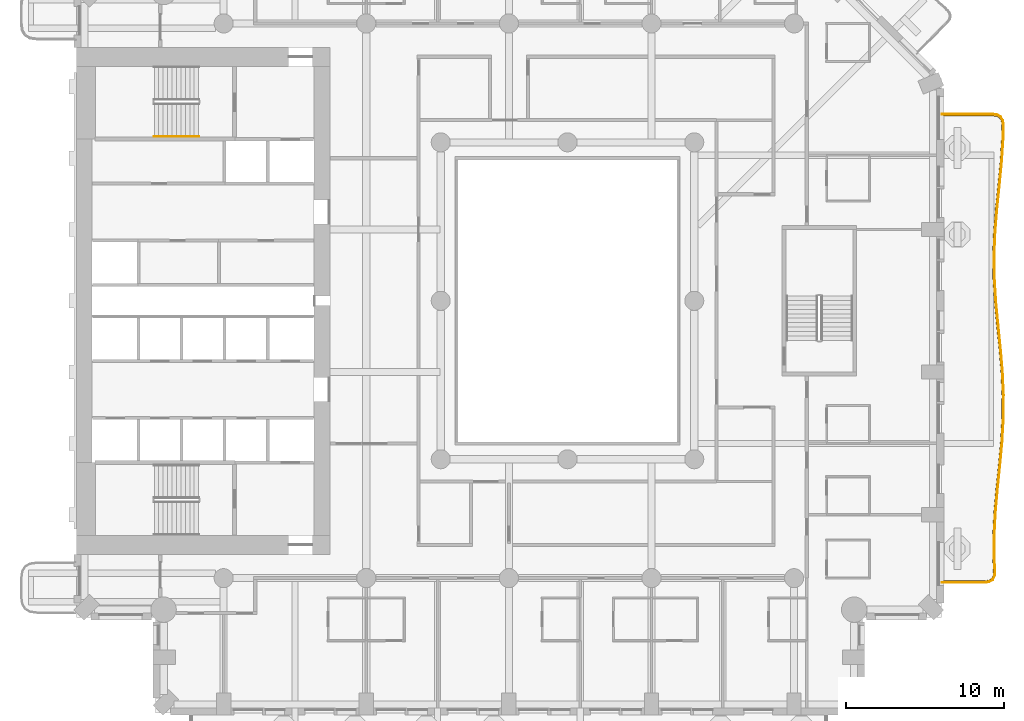
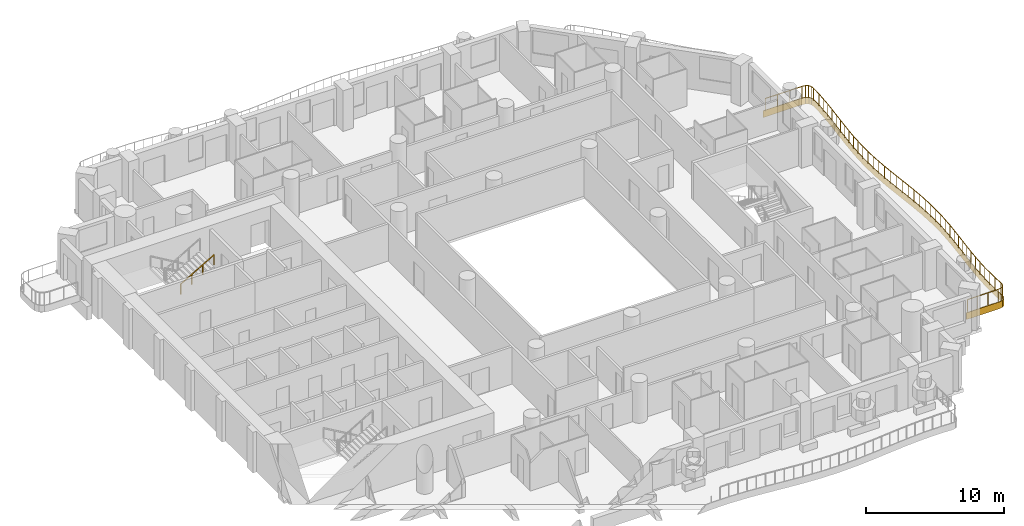
# One storey, part 16 of 20: 2 railings, 1 covering.
"""IFC4 building model written with IfcOpenShell, lengths in metres."""

import ifcopenshell
import ifcopenshell.guid

model = None  # the IFC model being written
_history = None  # IfcOwnerHistory: only IFC2X3 demands one
_inside = {}  # id of a spatial element -> (the spatial element, [elements in it])
_under = {}  # id of a project, library or spatial element -> (it, [spatial elements below it])
_declared = {}  # id of a project -> (the project, [libraries it declares])
_typed = {}  # id of a type object -> (the type object, [elements of that type])
_made_of = {}  # id of a material, layer set ... -> (it, [elements and type objects made of it])


def new_model(schema):
    """Start an empty IFC model of exactly this schema.

    Asked for "IFC4X3", IfcOpenShell would pick the latest addendum, in which some entities
    have other attributes; the version numbers below select the first issue.
    IFC2X3 requires an IfcOwnerHistory on every rooted entity: one is made here for all.
    """
    global model, _history
    if schema == "IFC4X3":
        model = ifcopenshell.file(schema_version=(4, 3, 0, 0))
    else:
        model = ifcopenshell.file(schema=schema)
    _inside.clear()
    _under.clear()
    _declared.clear()
    _typed.clear()
    _made_of.clear()
    _history = None
    if model.schema == "IFC2X3":
        org = make("IfcOrganization", Name="unknown")
        user = make(
            "IfcPersonAndOrganization",
            ThePerson=make("IfcPerson", FamilyName="unknown"),
            TheOrganization=org,
        )
        app = make(
            "IfcApplication",
            ApplicationDeveloper=org,
            Version="unknown",
            ApplicationFullName="unknown",
            ApplicationIdentifier="unknown",
        )
        _history = make(
            "IfcOwnerHistory",
            OwningUser=user,
            OwningApplication=app,
            ChangeAction="ADDED",
            CreationDate=0,
        )
    return model


def make(cls, **values):
    """One entity of the class cls with the attributes given. An attribute that is None is left unset."""
    return model.create_entity(
        cls, **{name: value for name, value in values.items() if value is not None}
    )


def rooted(cls, **values):
    """An entity with a GlobalId (a new one), such as an element, a storey or a relation."""
    return make(cls, GlobalId=ifcopenshell.guid.new(), OwnerHistory=_history, **values)


def si_unit(unit_type, name, prefix=None):
    """IfcSIUnit, for example si_unit("LENGTHUNIT", "METRE", prefix="MILLI")."""
    return make("IfcSIUnit", UnitType=unit_type, Prefix=prefix, Name=name)


def assignment(units):
    """IfcUnitAssignment: the units of a project."""
    return None if units is None else make("IfcUnitAssignment", Units=units)


def point(xyz):
    """IfcCartesianPoint."""
    return None if xyz is None else make("IfcCartesianPoint", Coordinates=xyz)


def direction(xyz):
    """IfcDirection."""
    return None if xyz is None else make("IfcDirection", DirectionRatios=xyz)


def frame(location, z_axis=None, x_axis=None):
    """IfcAxis2Placement3D, a coordinate frame: its origin and axes. An axis left out is left unset."""
    return make(
        "IfcAxis2Placement3D",
        Location=point(location),
        Axis=direction(z_axis),
        RefDirection=direction(x_axis),
    )


def frame_2d(location, x_axis=None):
    """IfcAxis2Placement2D, a coordinate frame in the plane: its origin and x axis."""
    return make(
        "IfcAxis2Placement2D", Location=point(location), RefDirection=direction(x_axis)
    )


def origin():
    """The frame at (0, 0, 0) with its axes left unset."""
    return frame((0.0, 0.0, 0.0))


def origin_2d():
    """The frame at (0, 0) in the plane with its x axis left unset."""
    return frame_2d((0.0, 0.0))


def place(relative_to, where):
    """IfcLocalPlacement: puts the frame where relative to a parent placement (None: the world)."""
    return make(
        "IfcLocalPlacement", PlacementRelTo=relative_to, RelativePlacement=where
    )


def context(
    kind, dimensions, precision=None, world=None, true_north=None, identifier=None
):
    """IfcGeometricRepresentationContext, for example the 3D "Model" context."""
    return make(
        "IfcGeometricRepresentationContext",
        ContextIdentifier=identifier,
        ContextType=kind,
        CoordinateSpaceDimension=dimensions,
        Precision=precision,
        WorldCoordinateSystem=world,
        TrueNorth=true_north,
    )


def subcontext(parent, identifier, kind, view, scale=None):
    """IfcGeometricRepresentationSubContext, for example "Body" below "Model"."""
    return make(
        "IfcGeometricRepresentationSubContext",
        ContextIdentifier=identifier,
        ContextType=kind,
        ParentContext=parent,
        TargetScale=scale,
        TargetView=view,
    )


def project(units=None, contexts=None):
    """IfcProject with its units and contexts."""
    return rooted(
        "IfcProject",
        Name="project",
        RepresentationContexts=contexts,
        UnitsInContext=assignment(units),
    )


def spatial(cls, under=None, at=None, **own):
    """A site, building, storey or space (cls), placed at a placement, below another one or the project."""
    s = rooted(cls, ObjectPlacement=at, **own)
    if under is not None:
        _under.setdefault(under.id(), (under, []))[1].append(s)
    return s


def polyline(points):
    """IfcPolyline through the points."""
    return make("IfcPolyline", Points=[point(p) for p in points])


def profile(cls, at=None, kind="AREA", **sizes):
    """A parametric profile (cls). Its sizes go by their IFC names, for example OverallWidth=200.0."""
    return make(cls, ProfileType=kind, Position=at, **sizes)


def rectangle(**sizes):
    """IfcRectangleProfileDef."""
    return profile("IfcRectangleProfileDef", **sizes)


def outline(outer, holes=None, kind="AREA"):
    """IfcArbitraryClosedProfileDef: a profile drawn as a closed curve; with holes, ...WithVoids."""
    if holes is None:
        return make("IfcArbitraryClosedProfileDef", ProfileType=kind, OuterCurve=outer)
    return make(
        "IfcArbitraryProfileDefWithVoids",
        ProfileType=kind,
        OuterCurve=outer,
        InnerCurves=holes,
    )


def extrude(swept, where, along, depth):
    """IfcExtrudedAreaSolid: the profile swept, set in the frame where, extruded along a direction by depth."""
    return make(
        "IfcExtrudedAreaSolid",
        SweptArea=swept,
        Position=where,
        ExtrudedDirection=direction(along),
        Depth=depth,
    )


def shape(context_of_items, identifier, shape_type, items):
    """IfcShapeRepresentation: the items that make up one representation, for example the "Body"."""
    return make(
        "IfcShapeRepresentation",
        ContextOfItems=context_of_items,
        RepresentationIdentifier=identifier,
        RepresentationType=shape_type,
        Items=items,
    )


def material(Name=None, Category=None):
    """IfcMaterial."""
    return make("IfcMaterial", Name=Name, Category=Category)


def layer(
    of_material, thickness, ventilated=None, Name=None, Category=None, Priority=None
):
    """IfcMaterialLayer: one layer of a wall or slab, of a material (None: an air gap)."""
    return make(
        "IfcMaterialLayer",
        Material=of_material,
        LayerThickness=thickness,
        IsVentilated=ventilated,
        Name=Name,
        Category=Category,
        Priority=Priority,
    )


def layer_set(layers, Name=None):
    """IfcMaterialLayerSet."""
    return make("IfcMaterialLayerSet", MaterialLayers=layers, LayerSetName=Name)


def made_of(thing, what):
    """Note that an element or type object is made of a material, layer set ...; save() writes the relation."""
    if what is not None:
        _made_of.setdefault(what.id(), (what, []))[1].append(thing)
    return thing


def type_object(cls, material=None, **own):
    """A type object (cls), such as IfcWallType, which elements share."""
    return made_of(rooted(cls, **own), material)


def element(
    cls,
    number,
    at=None,
    inside=None,
    cuts=None,
    type_object=None,
    material=None,
    context=None,
    identifier="Body",
    shape_type=None,
    held_by="IfcProductDefinitionShape",
    body=None,
    shapes=None,
    **own,
):
    """One element of the class cls, such as IfcWall. Its Tag is "e" and its number.

    at: its placement. inside: the storey or other place that contains it. cuts: it is an
    opening in that element (IfcRelVoidsElement). A single representation is given by context,
    identifier, shape_type and body (its items); several are given by shapes. held_by: the class
    of the entity that holds the representations. save() writes the other relations.
    """
    e = rooted(cls, Tag="e%d" % number, ObjectPlacement=at, **own)
    if body is not None:
        shapes = [shape(context, identifier, shape_type, body)]
    if shapes is not None:
        e.Representation = make(held_by, Representations=shapes)
    if inside is not None:
        _inside.setdefault(inside.id(), (inside, []))[1].append(e)
    if cuts is not None:
        rooted(
            "IfcRelVoidsElement", RelatingBuildingElement=cuts, RelatedOpeningElement=e
        )
    if type_object is not None:
        _typed.setdefault(type_object.id(), (type_object, []))[1].append(e)
    return made_of(e, material)


def aggregate(whole, parts):
    """IfcRelAggregates: a whole, such as a stair, and the parts it consists of."""
    return rooted("IfcRelAggregates", RelatingObject=whole, RelatedObjects=parts)


def save(model, path):
    """Write the relations noted so far, then the file.

    IfcRelAggregates (storeys below a building ...), IfcRelContainedInSpatialStructure (elements
    in a storey), IfcRelDefinesByType, IfcRelAssociatesMaterial and IfcRelDeclares: one each for
    every whole, place, type object, material and project.
    """
    for whole, parts in _under.values():
        aggregate(whole, parts)
    for where, things in _inside.values():
        rooted(
            "IfcRelContainedInSpatialStructure",
            RelatedElements=things,
            RelatingStructure=where,
        )
    for kind, things in _typed.values():
        rooted("IfcRelDefinesByType", RelatedObjects=things, RelatingType=kind)
    for what, things in _made_of.values():
        rooted("IfcRelAssociatesMaterial", RelatedObjects=things, RelatingMaterial=what)
    for by, libraries in _declared.values():
        rooted("IfcRelDeclares", RelatingContext=by, RelatedDefinitions=libraries)
    model.write(path)


model = new_model("IFC4")

# Units and contexts
model_context = context("Model", 3, precision=1e-05, world=origin(), true_north=direction((0.0, 1.0)))
body_context = subcontext(model_context, "Body", "Model", "MODEL_VIEW")
ifc_project = project(units=[si_unit("LENGTHUNIT", "METRE"), si_unit("AREAUNIT", "SQUARE_METRE"), si_unit("VOLUMEUNIT", "CUBIC_METRE"), si_unit("PLANEANGLEUNIT", "RADIAN"), si_unit("MASSUNIT", "GRAM", prefix="KILO")], contexts=[model_context])

# Site, building, storey
site_placement = place(None, origin())
site = spatial("IfcSite", under=ifc_project, at=site_placement, CompositionType="ELEMENT")
building_placement = place(site_placement, origin())
building = spatial("IfcBuilding", under=site, at=building_placement, Name="Cypress Arch Tower", CompositionType="ELEMENT")
storey_placement = place(building_placement, frame((0.0, 0.0, 62.699951171875)))
storey = spatial("IfcBuildingStorey", under=building, at=storey_placement, Name="L09", CompositionType="ELEMENT", Elevation=62.699951171875)

# Covering
ifc_material_1 = material(Name="White powder-coated aluminium fascia", Category="aluminium")
ifc_layer = layer(ifc_material_1, 0.050048828125)
ifc_layer_set = layer_set([ifc_layer], Name="Balcony fascia BF50")
covering_type = type_object("IfcCoveringType", Name="Balcony fascia BF50", PredefinedType="CLADDING", material=ifc_layer_set)
covering_placement = place(storey_placement, frame((0.0, 0.0, -0.599853515625)))
element("IfcCovering", 1, at=covering_placement, inside=storey, type_object=covering_type, Name="Balcony fascia L09-A06", PredefinedType="CLADDING", context=body_context, shape_type="SweptSolid", body=[
    extrude(outline(polyline([(27.838623046875, 11.800048828125), (28.141845703125, 11.756591796875), (28.36669921875, 11.6201171875), (28.499267578125, 11.39306640625), (28.537353515625, 11.0888671875), (28.52294921875, 10.27294921875), (28.42626953125, 8.7958984375), (28.28369140625, 7.320068359375), (28.132568359375, 5.845458984375), (28.011962890625, 4.3720703125), (27.952880859375, 2.8994140625), (27.970947265625, 1.4267578125), (28.06103515625, -0.046142578125), (28.2001953125, -1.52001953125), (28.352294921875, -2.995361328125), (28.47802734375, -4.4716796875), (28.54443359375, -5.948974609375), (28.534423828125, -7.426513671875), (28.45068359375, -8.90380859375), (28.314697265625, -10.3798828125), (28.162109375, -11.854736328125), (28.0322265625, -13.328369140625), (27.958984375, -14.80126953125), (27.9609375, -16.273681640625), (28.00341796875, -17.087158203125), (27.9755859375, -17.3916015625), (27.8505859375, -17.61962890625), (27.629150390625, -17.756591796875), (27.326904296875, -17.800048828125), (24.60107421875, -17.800048828125), (24.60107421875, -17.75), (27.3232421875, -17.75), (27.61181640625, -17.70849609375), (27.81298828125, -17.583984375), (27.9267578125, -17.376708984375), (27.953125, -17.086181640625), (27.910888671875, -16.27490234375), (27.908935546875, -14.800048828125), (27.982421875, -13.324951171875), (28.1123046875, -11.85009765625), (28.264892578125, -10.375), (28.400634765625, -8.89990234375), (28.484375, -7.425048828125), (28.494384765625, -5.949951171875), (28.42822265625, -4.47509765625), (28.302490234375, -3.0), (28.150390625, -1.52490234375), (28.01123046875, -0.050048828125), (27.9208984375, 1.425048828125), (27.90283203125, 2.89990234375), (27.9619140625, 4.375), (28.082763671875, 5.85009765625), (28.23388671875, 7.324951171875), (28.376220703125, 8.800048828125), (28.472900390625, 10.27490234375), (28.4873046875, 11.086181640625), (28.450927734375, 11.376708984375), (28.330078125, 11.583984375), (28.124755859375, 11.70849609375), (27.8349609375, 11.75), (24.60107421875, 11.75), (24.60107421875, 11.800048828125), (27.838623046875, 11.800048828125)])), origin(), (0.0, 0.0, 1.0), 0.599853515625),
])

# Railings
ifc_material_2 = material(Name="Powder-coated steel posts and rods, 100 mm clear between rods", Category="steel")
railing_type_1 = type_object("IfcRailingType", Name="Balcony guard GR1100", PredefinedType="GUARDRAIL", material=ifc_material_2)
railing_1_placement = place(storey_placement, frame((24.75, 11.699951171875, 0.0)))
element("IfcRailing", 2, at=railing_1_placement, inside=storey, type_object=railing_type_1, Name="Balcony guard L09-A06", PredefinedType="GUARDRAIL", context=body_context, shape_type="SweptSolid", body=[
    extrude(rectangle(XDim=0.050048828125, YDim=0.050048828125, at=origin_2d()), frame((0.0, 0.0, 1.0751953125), z_axis=(1.0, 0.0, 0.0), x_axis=(0.0, 1.0, 0.0)), (0.0, 0.0, 1.0), 3.08154296875),
    extrude(rectangle(XDim=0.050048828125, YDim=0.050048828125, at=origin_2d()), frame((3.08154296875, 0.0, 1.0751953125), z_axis=(0.989879292165, -0.141911898523, 0.0), x_axis=(0.141911898523, 0.989879292165, 0.0)), (0.0, 0.0, 1.0), 0.27880859375),
    extrude(rectangle(XDim=0.050048828125, YDim=0.050048828125, at=origin_2d()), frame((3.357421875, -0.03955078125, 1.0751953125), z_axis=(0.855303487968, -0.518127342908, 0.0), x_axis=(0.518127342908, 0.855303487968, 0.0)), (0.0, 0.0, 1.0), 0.21728515625),
    extrude(rectangle(XDim=0.050048828125, YDim=0.050048828125, at=origin_2d()), frame((3.543212890625, -0.152099609375, 1.0751953125), z_axis=(0.503871025524, -0.863778900898, 0.0), x_axis=(0.863778900898, 0.503871025524, 0.0)), (0.0, 0.0, 1.0), 0.217041015625),
    extrude(rectangle(XDim=0.050048828125, YDim=0.050048828125, at=origin_2d()), frame((3.652587890625, -0.339599609375, 1.0751953125), z_axis=(0.124250116485, -0.992250930236, 0.0), x_axis=(0.992250930236, 0.124250116485, 0.0)), (0.0, 0.0, 1.0), 0.279052734375),
    extrude(rectangle(XDim=0.050048828125, YDim=0.050048828125, at=origin_2d()), frame((3.687255859375, -0.616455078125, 1.0751953125), z_axis=(-0.017557087503, -0.99984586246, 0.0), x_axis=(0.99984586246, -0.017557087503, 0.0)), (0.0, 0.0, 1.0), 0.806640625),
    extrude(rectangle(XDim=0.050048828125, YDim=0.050048828125, at=origin_2d()), frame((3.673095703125, -1.4228515625, 1.0751953125), z_axis=(-0.065487230581, -0.997853407386, 0.0), x_axis=(0.997853407386, -0.065487230581, 0.0)), (0.0, 0.0, 1.0), 1.476318359375),
    extrude(rectangle(XDim=0.050048828125, YDim=0.050048828125, at=origin_2d()), frame((3.576416015625, -2.89599609375, 1.0751953125), z_axis=(-0.095944854399, -0.995386650963, 0.0), x_axis=(0.995386650963, -0.095944854399, 0.0)), (0.0, 0.0, 1.0), 1.48095703125),
    extrude(rectangle(XDim=0.050048828125, YDim=0.050048828125, at=origin_2d()), frame((3.434326171875, -4.3701171875, 1.0751953125), z_axis=(-0.102062281429, -0.994778010769, 0.0), x_axis=(0.994778010769, -0.102062281429, 0.0)), (0.0, 0.0, 1.0), 1.483154296875),
    extrude(rectangle(XDim=0.050048828125, YDim=0.050048828125, at=origin_2d()), frame((3.282958984375, -5.845458984375, 1.0751953125), z_axis=(-0.081572481641, -0.996667412048, 0.0), x_axis=(0.996667412048, -0.081572481641, 0.0)), (0.0, 0.0, 1.0), 1.4814453125),
    extrude(rectangle(XDim=0.050048828125, YDim=0.050048828125, at=origin_2d()), frame((3.162109375, -7.322021484375, 1.0751953125), z_axis=(-0.039961443702, -0.999201222486, 0.0), x_axis=(0.999201222486, -0.039961443702, 0.0)), (0.0, 0.0, 1.0), 1.478515625),
    extrude(rectangle(XDim=0.050048828125, YDim=0.050048828125, at=origin_2d()), frame((3.10302734375, -8.79931640625, 1.0751953125), z_axis=(0.012061250829, -0.999927260469, 0.0), x_axis=(0.999927260469, 0.012061250829, 0.0)), (0.0, 0.0, 1.0), 1.4775390625),
    extrude(rectangle(XDim=0.050048828125, YDim=0.050048828125, at=origin_2d()), frame((3.120849609375, -10.27685546875, 1.0751953125), z_axis=(0.061207339196, -0.998125073139, 0.0), x_axis=(0.998125073139, 0.061207339196, 0.0)), (0.0, 0.0, 1.0), 1.479736328125),
    extrude(rectangle(XDim=0.050048828125, YDim=0.050048828125, at=origin_2d()), frame((3.21142578125, -11.75390625, 1.0751953125), z_axis=(0.094024217474, -0.995569910417, 0.0), x_axis=(0.995569910417, 0.094024217474, 0.0)), (0.0, 0.0, 1.0), 1.482666015625),
    extrude(rectangle(XDim=0.050048828125, YDim=0.050048828125, at=origin_2d()), frame((3.350830078125, -13.22998046875, 1.0751953125), z_axis=(0.102601349714, -0.99472255581, 0.0), x_axis=(0.99472255581, 0.102601349714, 0.0)), (0.0, 0.0, 1.0), 1.482421875),
    extrude(rectangle(XDim=0.050048828125, YDim=0.050048828125, at=origin_2d()), frame((3.5029296875, -14.70458984375, 1.0751953125), z_axis=(0.084684757833, -0.996407793923, 0.0), x_axis=(0.996407793923, 0.084684757833, 0.0)), (0.0, 0.0, 1.0), 1.47900390625),
    extrude(rectangle(XDim=0.050048828125, YDim=0.050048828125, at=origin_2d()), frame((3.628173828125, -16.17822265625, 1.0751953125), z_axis=(0.045047062915, -0.998984865813, 0.0), x_axis=(0.998984865813, 0.045047062915, 0.0)), (0.0, 0.0, 1.0), 1.47412109375),
    extrude(rectangle(XDim=0.050048828125, YDim=0.050048828125, at=origin_2d()), frame((3.694580078125, -17.65087890625, 1.0751953125), z_axis=(-0.006798052166, -0.999976892976, 0.0), x_axis=(0.999976892976, -0.006798052166, 0.0)), (0.0, 0.0, 1.0), 1.472412109375),
    extrude(rectangle(XDim=0.050048828125, YDim=0.050048828125, at=origin_2d()), frame((3.6845703125, -19.123291015625, 1.0751953125), z_axis=(-0.05676230535, -0.998387720623, 0.0), x_axis=(0.998387720623, -0.05676230535, 0.0)), (0.0, 0.0, 1.0), 1.475341796875),
    extrude(rectangle(XDim=0.050048828125, YDim=0.050048828125, at=origin_2d()), frame((3.600830078125, -20.59619140625, 1.0751953125), z_axis=(-0.09171059319, -0.9957857034, 0.0), x_axis=(0.9957857034, -0.09171059319, 0.0)), (0.0, 0.0, 1.0), 1.480224609375),
    extrude(rectangle(XDim=0.050048828125, YDim=0.050048828125, at=origin_2d()), frame((3.465087890625, -22.070068359375, 1.0751953125), z_axis=(-0.102893534307, -0.994692374857, 0.0), x_axis=(0.994692374857, -0.102893534307, 0.0)), (0.0, 0.0, 1.0), 1.48291015625),
    extrude(rectangle(XDim=0.050048828125, YDim=0.050048828125, at=origin_2d()), frame((3.3125, -23.545166015625, 1.0751953125), z_axis=(-0.087638998496, -0.996152300576, 0.0), x_axis=(0.996152300576, -0.087638998496, 0.0)), (0.0, 0.0, 1.0), 1.48193359375),
    extrude(rectangle(XDim=0.050048828125, YDim=0.050048828125, at=origin_2d()), frame((3.1826171875, -25.021484375, 1.0751953125), z_axis=(-0.049847062052, -0.998756862507, 0.0), x_axis=(0.998756862507, -0.049847062052, 0.0)), (0.0, 0.0, 1.0), 1.479248046875),
    extrude(rectangle(XDim=0.050048828125, YDim=0.050048828125, at=origin_2d()), frame((3.10888671875, -26.498779296875, 1.0751953125), z_axis=(0.001321875911, -0.999999126322, 0.0), x_axis=(0.999999126322, 0.001321875911, 0.0)), (0.0, 0.0, 1.0), 1.4775390625),
    extrude(rectangle(XDim=0.050048828125, YDim=0.050048828125, at=origin_2d()), frame((3.11083984375, -27.976318359375, 1.0751953125), z_axis=(0.052147484219, -0.998639394321, 0.0), x_axis=(0.998639394321, 0.052147484219, 0.0)), (0.0, 0.0, 1.0), 0.81005859375),
    extrude(rectangle(XDim=0.050048828125, YDim=0.050048828125, at=origin_2d()), frame((3.153076171875, -28.78515625, 1.0751953125), z_axis=(-0.090535746043, -0.995893206468, 0.0), x_axis=(0.995893206468, -0.090535746043, 0.0)), (0.0, 0.0, 1.0), 0.27783203125),
    extrude(rectangle(XDim=0.050048828125, YDim=0.050048828125, at=origin_2d()), frame((3.1279296875, -29.061767578125, 1.0751953125), z_axis=(-0.480377620856, -0.877061766001, 0.0), x_axis=(0.877061766001, -0.480377620856, 0.0)), (0.0, 0.0, 1.0), 0.212890625),
    extrude(rectangle(XDim=0.050048828125, YDim=0.050048828125, at=origin_2d()), frame((3.025634765625, -29.24853515625, 1.0751953125), z_axis=(-0.850948766681, -0.52524869965, 0.0), x_axis=(0.52524869965, -0.850948766681, 0.0)), (0.0, 0.0, 1.0), 0.212890625),
    extrude(rectangle(XDim=0.050048828125, YDim=0.050048828125, at=origin_2d()), frame((2.844482421875, -29.3603515625, 1.0751953125), z_axis=(-0.989808356363, -0.142405820365, 0.0), x_axis=(0.142405820365, -0.989808356363, 0.0)), (0.0, 0.0, 1.0), 0.27783203125),
    extrude(rectangle(XDim=0.050048828125, YDim=0.050048828125, at=origin_2d()), frame((2.569580078125, -29.39990234375, 1.0751953125), z_axis=(-1.0, 0.0, 0.0), x_axis=(0.0, -1.0, 0.0)), (0.0, 0.0, 1.0), 2.569580078125),
    extrude(rectangle(XDim=0.0400390625, YDim=0.0400390625, at=origin_2d()), origin(), (0.0, 0.0, 1.0), 1.050048828125),
    extrude(rectangle(XDim=0.0400390625, YDim=0.0400390625, at=origin_2d()), frame((1.027099609375, 0.0, 0.0)), (0.0, 0.0, 1.0), 1.050048828125),
    extrude(rectangle(XDim=0.0400390625, YDim=0.0400390625, at=origin_2d()), frame((2.054443359375, 0.0, 0.0)), (0.0, 0.0, 1.0), 1.050048828125),
    extrude(rectangle(XDim=0.0400390625, YDim=0.0400390625, at=origin_2d()), frame((3.08154296875, 0.0, 0.0)), (0.0, 0.0, 1.0), 1.050048828125),
    extrude(rectangle(XDim=0.0400390625, YDim=0.0400390625, at=origin_2d()), frame((3.357421875, -0.03955078125, 0.0)), (0.0, 0.0, 1.0), 1.050048828125),
    extrude(rectangle(XDim=0.0400390625, YDim=0.0400390625, at=origin_2d()), frame((3.543212890625, -0.152099609375, 0.0)), (0.0, 0.0, 1.0), 1.050048828125),
    extrude(rectangle(XDim=0.0400390625, YDim=0.0400390625, at=origin_2d()), frame((3.652587890625, -0.339599609375, 0.0)), (0.0, 0.0, 1.0), 1.050048828125),
    extrude(rectangle(XDim=0.0400390625, YDim=0.0400390625, at=origin_2d()), frame((3.687255859375, -0.616455078125, 0.0)), (0.0, 0.0, 1.0), 1.050048828125),
    extrude(rectangle(XDim=0.0400390625, YDim=0.0400390625, at=origin_2d()), frame((3.673095703125, -1.4228515625, 0.0)), (0.0, 0.0, 1.0), 1.050048828125),
    extrude(rectangle(XDim=0.0400390625, YDim=0.0400390625, at=origin_2d()), frame((3.624755859375, -2.159423828125, 0.0)), (0.0, 0.0, 1.0), 1.050048828125),
    extrude(rectangle(XDim=0.0400390625, YDim=0.0400390625, at=origin_2d()), frame((3.576416015625, -2.89599609375, 0.0)), (0.0, 0.0, 1.0), 1.050048828125),
    extrude(rectangle(XDim=0.0400390625, YDim=0.0400390625, at=origin_2d()), frame((3.50537109375, -3.633056640625, 0.0)), (0.0, 0.0, 1.0), 1.050048828125),
    extrude(rectangle(XDim=0.0400390625, YDim=0.0400390625, at=origin_2d()), frame((3.434326171875, -4.3701171875, 0.0)), (0.0, 0.0, 1.0), 1.050048828125),
    extrude(rectangle(XDim=0.0400390625, YDim=0.0400390625, at=origin_2d()), frame((3.358642578125, -5.10791015625, 0.0)), (0.0, 0.0, 1.0), 1.050048828125),
    extrude(rectangle(XDim=0.0400390625, YDim=0.0400390625, at=origin_2d()), frame((3.282958984375, -5.845458984375, 0.0)), (0.0, 0.0, 1.0), 1.050048828125),
    extrude(rectangle(XDim=0.0400390625, YDim=0.0400390625, at=origin_2d()), frame((3.22265625, -6.583740234375, 0.0)), (0.0, 0.0, 1.0), 1.050048828125),
    extrude(rectangle(XDim=0.0400390625, YDim=0.0400390625, at=origin_2d()), frame((3.162109375, -7.322021484375, 0.0)), (0.0, 0.0, 1.0), 1.050048828125),
    extrude(rectangle(XDim=0.0400390625, YDim=0.0400390625, at=origin_2d()), frame((3.132568359375, -8.060546875, 0.0)), (0.0, 0.0, 1.0), 1.050048828125),
    extrude(rectangle(XDim=0.0400390625, YDim=0.0400390625, at=origin_2d()), frame((3.10302734375, -8.79931640625, 0.0)), (0.0, 0.0, 1.0), 1.050048828125),
    extrude(rectangle(XDim=0.0400390625, YDim=0.0400390625, at=origin_2d()), frame((3.11181640625, -9.5380859375, 0.0)), (0.0, 0.0, 1.0), 1.050048828125),
    extrude(rectangle(XDim=0.0400390625, YDim=0.0400390625, at=origin_2d()), frame((3.120849609375, -10.27685546875, 0.0)), (0.0, 0.0, 1.0), 1.050048828125),
    extrude(rectangle(XDim=0.0400390625, YDim=0.0400390625, at=origin_2d()), frame((3.166015625, -11.015380859375, 0.0)), (0.0, 0.0, 1.0), 1.050048828125),
    extrude(rectangle(XDim=0.0400390625, YDim=0.0400390625, at=origin_2d()), frame((3.21142578125, -11.75390625, 0.0)), (0.0, 0.0, 1.0), 1.050048828125),
    extrude(rectangle(XDim=0.0400390625, YDim=0.0400390625, at=origin_2d()), frame((3.28125, -12.491943359375, 0.0)), (0.0, 0.0, 1.0), 1.050048828125),
    extrude(rectangle(XDim=0.0400390625, YDim=0.0400390625, at=origin_2d()), frame((3.350830078125, -13.22998046875, 0.0)), (0.0, 0.0, 1.0), 1.050048828125),
    extrude(rectangle(XDim=0.0400390625, YDim=0.0400390625, at=origin_2d()), frame((3.4267578125, -13.96728515625, 0.0)), (0.0, 0.0, 1.0), 1.050048828125),
    extrude(rectangle(XDim=0.0400390625, YDim=0.0400390625, at=origin_2d()), frame((3.5029296875, -14.70458984375, 0.0)), (0.0, 0.0, 1.0), 1.050048828125),
    extrude(rectangle(XDim=0.0400390625, YDim=0.0400390625, at=origin_2d()), frame((3.5654296875, -15.44140625, 0.0)), (0.0, 0.0, 1.0), 1.050048828125),
    extrude(rectangle(XDim=0.0400390625, YDim=0.0400390625, at=origin_2d()), frame((3.628173828125, -16.17822265625, 0.0)), (0.0, 0.0, 1.0), 1.050048828125),
    extrude(rectangle(XDim=0.0400390625, YDim=0.0400390625, at=origin_2d()), frame((3.661376953125, -16.91455078125, 0.0)), (0.0, 0.0, 1.0), 1.050048828125),
    extrude(rectangle(XDim=0.0400390625, YDim=0.0400390625, at=origin_2d()), frame((3.694580078125, -17.65087890625, 0.0)), (0.0, 0.0, 1.0), 1.050048828125),
    extrude(rectangle(XDim=0.0400390625, YDim=0.0400390625, at=origin_2d()), frame((3.689453125, -18.38720703125, 0.0)), (0.0, 0.0, 1.0), 1.050048828125),
    extrude(rectangle(XDim=0.0400390625, YDim=0.0400390625, at=origin_2d()), frame((3.6845703125, -19.123291015625, 0.0)), (0.0, 0.0, 1.0), 1.050048828125),
    extrude(rectangle(XDim=0.0400390625, YDim=0.0400390625, at=origin_2d()), frame((3.642578125, -19.85986328125, 0.0)), (0.0, 0.0, 1.0), 1.050048828125),
    extrude(rectangle(XDim=0.0400390625, YDim=0.0400390625, at=origin_2d()), frame((3.600830078125, -20.59619140625, 0.0)), (0.0, 0.0, 1.0), 1.050048828125),
    extrude(rectangle(XDim=0.0400390625, YDim=0.0400390625, at=origin_2d()), frame((3.532958984375, -21.3330078125, 0.0)), (0.0, 0.0, 1.0), 1.050048828125),
    extrude(rectangle(XDim=0.0400390625, YDim=0.0400390625, at=origin_2d()), frame((3.465087890625, -22.070068359375, 0.0)), (0.0, 0.0, 1.0), 1.050048828125),
    extrude(rectangle(XDim=0.0400390625, YDim=0.0400390625, at=origin_2d()), frame((3.388671875, -22.8076171875, 0.0)), (0.0, 0.0, 1.0), 1.050048828125),
    extrude(rectangle(XDim=0.0400390625, YDim=0.0400390625, at=origin_2d()), frame((3.3125, -23.545166015625, 0.0)), (0.0, 0.0, 1.0), 1.050048828125),
    extrude(rectangle(XDim=0.0400390625, YDim=0.0400390625, at=origin_2d()), frame((3.24755859375, -24.283203125, 0.0)), (0.0, 0.0, 1.0), 1.050048828125),
    extrude(rectangle(XDim=0.0400390625, YDim=0.0400390625, at=origin_2d()), frame((3.1826171875, -25.021484375, 0.0)), (0.0, 0.0, 1.0), 1.050048828125),
    extrude(rectangle(XDim=0.0400390625, YDim=0.0400390625, at=origin_2d()), frame((3.145751953125, -25.76025390625, 0.0)), (0.0, 0.0, 1.0), 1.050048828125),
    extrude(rectangle(XDim=0.0400390625, YDim=0.0400390625, at=origin_2d()), frame((3.10888671875, -26.498779296875, 0.0)), (0.0, 0.0, 1.0), 1.050048828125),
    extrude(rectangle(XDim=0.0400390625, YDim=0.0400390625, at=origin_2d()), frame((3.10986328125, -27.237548828125, 0.0)), (0.0, 0.0, 1.0), 1.050048828125),
    extrude(rectangle(XDim=0.0400390625, YDim=0.0400390625, at=origin_2d()), frame((3.11083984375, -27.976318359375, 0.0)), (0.0, 0.0, 1.0), 1.050048828125),
    extrude(rectangle(XDim=0.0400390625, YDim=0.0400390625, at=origin_2d()), frame((3.153076171875, -28.78515625, 0.0)), (0.0, 0.0, 1.0), 1.050048828125),
    extrude(rectangle(XDim=0.0400390625, YDim=0.0400390625, at=origin_2d()), frame((3.1279296875, -29.061767578125, 0.0)), (0.0, 0.0, 1.0), 1.050048828125),
    extrude(rectangle(XDim=0.0400390625, YDim=0.0400390625, at=origin_2d()), frame((3.025634765625, -29.24853515625, 0.0)), (0.0, 0.0, 1.0), 1.050048828125),
    extrude(rectangle(XDim=0.0400390625, YDim=0.0400390625, at=origin_2d()), frame((2.844482421875, -29.3603515625, 0.0)), (0.0, 0.0, 1.0), 1.050048828125),
    extrude(rectangle(XDim=0.0400390625, YDim=0.0400390625, at=origin_2d()), frame((2.569580078125, -29.39990234375, 0.0)), (0.0, 0.0, 1.0), 1.050048828125),
    extrude(rectangle(XDim=0.0400390625, YDim=0.0400390625, at=origin_2d()), frame((1.713134765625, -29.39990234375, 0.0)), (0.0, 0.0, 1.0), 1.050048828125),
    extrude(rectangle(XDim=0.0400390625, YDim=0.0400390625, at=origin_2d()), frame((0.8564453125, -29.39990234375, 0.0)), (0.0, 0.0, 1.0), 1.050048828125),
    extrude(rectangle(XDim=0.0400390625, YDim=0.0400390625, at=origin_2d()), frame((0.0, -29.39990234375, 0.0)), (0.0, 0.0, 1.0), 1.050048828125),
])
ifc_material_3 = material(Name="Black powder-coated steel square bar 48 mm", Category="steel")
railing_type_2 = type_object("IfcRailingType", Name="Stair handrail HR1", PredefinedType="HANDRAIL", material=ifc_material_3)
railing_2_placement = place(storey_placement, frame((-25.074951171875, 10.375, 1.963623046875)))
element("IfcRailing", 3, at=railing_2_placement, inside=storey, type_object=railing_type_2, Name="L09 B stair handrail 2", PredefinedType="HANDRAIL", context=body_context, shape_type="SweptSolid", body=[
    extrude(rectangle(XDim=0.048095703125, YDim=0.048095703125, at=origin_2d()), frame((0.0, 0.0, 0.8759765625), z_axis=(0.863360870873, 0.0, 0.504586966384), x_axis=(0.0, 1.0, 0.0)), (0.0, 0.0, 1.0), 3.2431640625),
    extrude(rectangle(XDim=0.0419921875, YDim=0.0419921875, at=origin_2d()), origin(), (0.0, 0.0, 1.0), 0.851806640625),
    extrude(rectangle(XDim=0.0419921875, YDim=0.0419921875, at=origin_2d()), frame((0.933349609375, 0.0, 0.54541015625)), (0.0, 0.0, 1.0), 0.851806640625),
    extrude(rectangle(XDim=0.0419921875, YDim=0.0419921875, at=origin_2d()), frame((1.86669921875, 0.0, 1.091064453125)), (0.0, 0.0, 1.0), 0.851806640625),
    extrude(rectangle(XDim=0.0419921875, YDim=0.0419921875, at=origin_2d()), frame((2.800048828125, 0.0, 1.636474609375)), (0.0, 0.0, 1.0), 0.851806640625),
])

save(model, "model.ifc")
